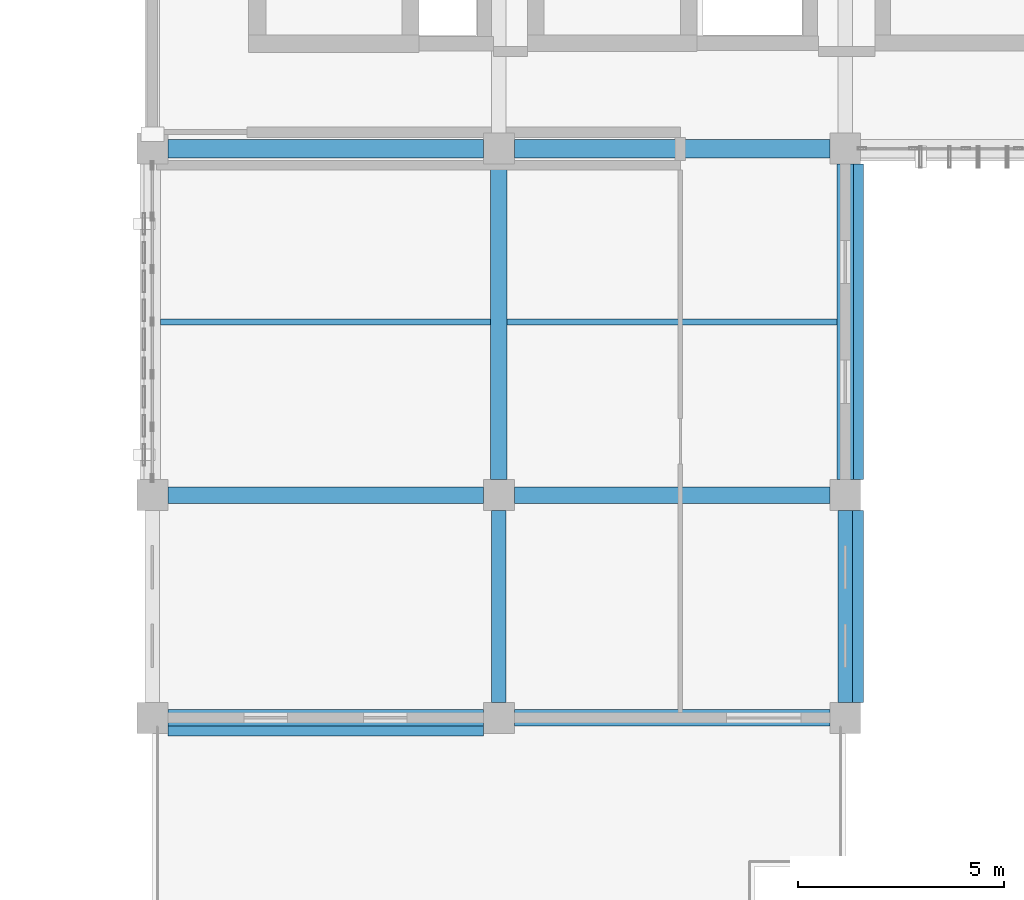
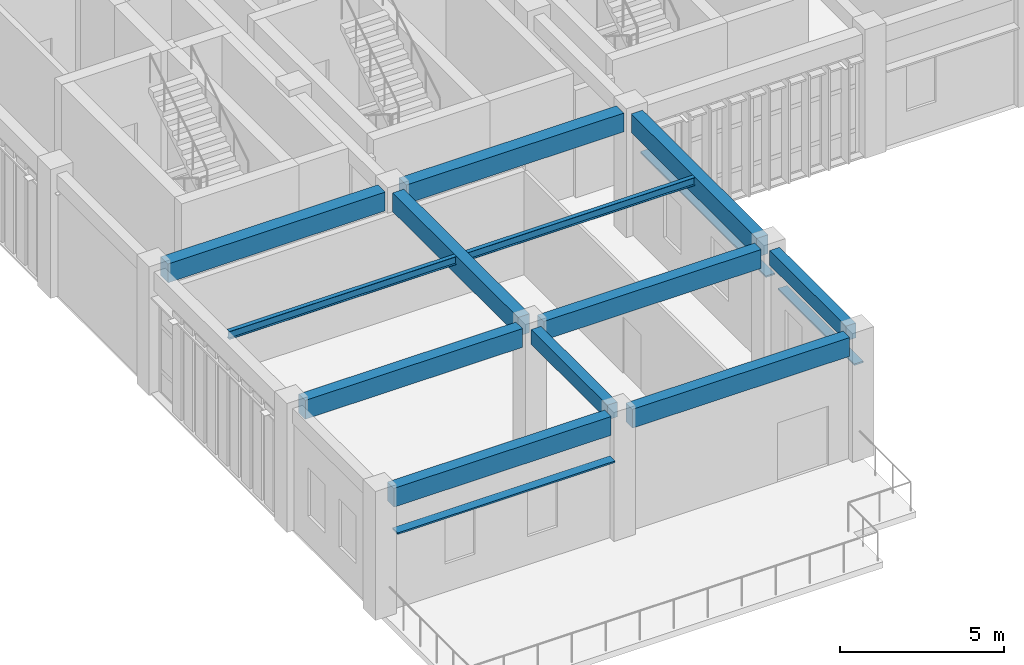
# One storey, part 45 of 76: 12 beams, 3 members.
"""IFC4 building model written with IfcOpenShell, lengths in metres."""

from ifc_helpers import new_model, si_unit, direction, frame, origin, origin_2d, place, context, subcontext, project, spatial, rectangle, hollow_rectangle, i_section, extrude, material, material_profile, profile_set, type_object, element, save


model = new_model("IFC4")

# Units and contexts
model_context = context("Model", 3, precision=1e-05, world=origin(), true_north=direction((0.0, 1.0)))
body_context = subcontext(model_context, "Body", "Model", "MODEL_VIEW")
ifc_project = project(units=[si_unit("LENGTHUNIT", "METRE"), si_unit("AREAUNIT", "SQUARE_METRE"), si_unit("VOLUMEUNIT", "CUBIC_METRE"), si_unit("PLANEANGLEUNIT", "RADIAN"), si_unit("MASSUNIT", "GRAM", prefix="KILO")], contexts=[model_context])

# Site, building, storey
site_placement = place(None, origin())
site = spatial("IfcSite", under=ifc_project, at=site_placement, CompositionType="ELEMENT")
building_placement = place(site_placement, origin())
building = spatial("IfcBuilding", under=site, at=building_placement, Name="Krzemoval Escarpment Law Courts", CompositionType="ELEMENT")
storey_placement = place(building_placement, frame((0.0, 0.0, 20.39990234375)))
storey = spatial("IfcBuildingStorey", under=building, at=storey_placement, Name="L04", CompositionType="ELEMENT", Elevation=20.39990234375)

# Beams
ifc_material_1 = material(Name="Concrete C40/50", Category="concrete")
ifc_material_profile_1 = material_profile(ifc_material_1, rectangle(XDim=0.35009765625, YDim=0.550048828125, at=origin_2d()), Name="RCB 350x550")
ifc_profile_set_1 = profile_set([ifc_material_profile_1], Name="Concrete C40/50")
beam_type_1 = type_object("IfcBeamType", Name="BM-RC-350x550", PredefinedType="BEAM", material=ifc_profile_set_1)
for number, where, z_axis, x_axis, name in (
    (1, (134.39990234375, 80.175048828125, 4.275146484375), (0.0, 1.0, 0.0), (-1.0, 0.0, 0.0), "Beam FG-L04-2512"),
    (2, (142.800048828125, 80.175048828125, 4.275146484375), (0.0, 1.0, 0.0), (-1.0, 0.0, 0.0), "Beam FG-L04-2518"),
):
    element("IfcBeam", number, at=place(storey_placement, frame(where, z_axis=z_axis, x_axis=x_axis)), inside=storey, type_object=beam_type_1, Name=name, PredefinedType="BEAM", context=body_context, shape_type="SweptSolid", body=[
        extrude(rectangle(XDim=0.35009765625, YDim=0.550048828125, at=origin_2d()), origin(), (0.0, 0.0, 1.0), 4.64990234375),
    ])
ifc_material_2 = material(Name="Concrete C40/50", Category="concrete")
ifc_material_profile_2 = material_profile(ifc_material_2, rectangle(XDim=0.39990234375, YDim=0.699951171875, at=origin_2d()), Name="RCB 400x700")
ifc_profile_set_2 = profile_set([ifc_material_profile_2], Name="Concrete C40/50")
beam_type_2 = type_object("IfcBeamType", Name="BM-RC-400x700", PredefinedType="BEAM", material=ifc_profile_set_2)
beam_1_placement = place(storey_placement, frame((126.375, 79.800048828125, 4.2001953125), z_axis=(1.0, 0.0, 0.0), x_axis=(0.0, 1.0, 0.0)))
element("IfcBeam", 3, at=beam_1_placement, inside=storey, type_object=beam_type_2, Name="Beam FG-L04-2449", PredefinedType="BEAM", context=body_context, shape_type="SweptSolid", body=[
    extrude(rectangle(XDim=0.39990234375, YDim=0.699951171875, at=origin_2d()), origin(), (0.0, 0.0, 1.0), 7.64990234375),
])
beam_2_placement = place(storey_placement, frame((134.77490234375, 79.800048828125, 4.2001953125), z_axis=(1.0, 0.0, 0.0), x_axis=(0.0, 1.0, 0.0)))
element("IfcBeam", 4, at=beam_2_placement, inside=storey, type_object=beam_type_2, Name="Beam FG-L04-2450", PredefinedType="BEAM", context=body_context, shape_type="SweptSolid", body=[
    extrude(rectangle(XDim=0.39990234375, YDim=0.699951171875, at=origin_2d()), origin(), (0.0, 0.0, 1.0), 7.650146484375),
])
beam_3_placement = place(storey_placement, frame((126.375, 85.199951171875, 4.2001953125), z_axis=(1.0, 0.0, 0.0), x_axis=(0.0, 1.0, 0.0)))
element("IfcBeam", 5, at=beam_3_placement, inside=storey, type_object=beam_type_2, Name="Beam FG-L04-2451", PredefinedType="BEAM", context=body_context, shape_type="SweptSolid", body=[
    extrude(rectangle(XDim=0.39990234375, YDim=0.699951171875, at=origin_2d()), origin(), (0.0, 0.0, 1.0), 7.64990234375),
])
for number, where, z_axis, x_axis, name in (
    (6, (134.77490234375, 85.199951171875, 4.2001953125), (1.0, 0.0, 0.0), (0.0, 1.0, 0.0), "Beam FG-L04-2452"),
    (7, (134.39990234375, 85.574951171875, 4.2001953125), (0.0, 1.0, 0.0), (-1.0, 0.0, 0.0), "Beam FG-L04-2513"),
    (8, (142.800048828125, 85.574951171875, 4.2001953125), (0.0, 1.0, 0.0), (-1.0, 0.0, 0.0), "Beam FG-L04-2519"),
):
    element("IfcBeam", number, at=place(storey_placement, frame(where, z_axis=z_axis, x_axis=x_axis)), inside=storey, type_object=beam_type_2, Name=name, PredefinedType="BEAM", context=body_context, shape_type="SweptSolid", body=[
        extrude(rectangle(XDim=0.39990234375, YDim=0.699951171875, at=origin_2d()), origin(), (0.0, 0.0, 1.0), 7.650146484375),
    ])
ifc_material_3 = material(Name="Concrete C40/50", Category="concrete")
ifc_material_profile_3 = material_profile(ifc_material_3, rectangle(XDim=0.449951171875, YDim=0.699951171875, at=origin_2d()), Name="RCB 450x700")
ifc_profile_set_3 = profile_set([ifc_material_profile_3], Name="Concrete C40/50")
beam_type_3 = type_object("IfcBeamType", Name="BM-RC-450x700", PredefinedType="BEAM", material=ifc_profile_set_3)
beam_4_placement = place(storey_placement, frame((126.375, 93.60009765625, 4.2001953125), z_axis=(1.0, 0.0, 0.0), x_axis=(0.0, 1.0, 0.0)))
element("IfcBeam", 9, at=beam_4_placement, inside=storey, type_object=beam_type_3, Name="Beam FG-L04-2453", PredefinedType="BEAM", context=body_context, shape_type="SweptSolid", body=[
    extrude(rectangle(XDim=0.449951171875, YDim=0.699951171875, at=origin_2d()), origin(), (0.0, 0.0, 1.0), 7.64990234375),
])
beam_5_placement = place(storey_placement, frame((134.77490234375, 93.60009765625, 4.2001953125), z_axis=(1.0, 0.0, 0.0), x_axis=(0.0, 1.0, 0.0)))
element("IfcBeam", 10, at=beam_5_placement, inside=storey, type_object=beam_type_3, Name="Beam FG-L04-2454", PredefinedType="BEAM", context=body_context, shape_type="SweptSolid", body=[
    extrude(rectangle(XDim=0.449951171875, YDim=0.699951171875, at=origin_2d()), origin(), (0.0, 0.0, 1.0), 7.650146484375),
])
ifc_material_4 = material(Name="Steel S355", Category="steel")
ifc_material_profile_4 = material_profile(ifc_material_4, i_section(OverallWidth=0.14990234375, OverallDepth=0.300048828125, WebThickness=0.007080078125, FlangeThickness=0.0107421875, at=origin_2d()), Name="IPE 300")
ifc_profile_set_4 = profile_set([ifc_material_profile_4], Name="Steel S355")
beam_type_4 = type_object("IfcBeamType", Name="JST-S355-IPE300", PredefinedType="JOIST", material=ifc_profile_set_4)
for number, where, z_axis, x_axis, name in (
    (11, (126.199951171875, 89.39990234375, 4.400146484375), (1.0, 0.0, 0.0), (0.0, 1.0, 0.0), "Secondary Joist FJ-L04-2564"),
    (12, (134.60009765625, 89.39990234375, 4.400146484375), (1.0, 0.0, 0.0), (0.0, 1.0, 0.0), "Secondary Joist FJ-L04-2565"),
):
    element("IfcBeam", number, at=place(storey_placement, frame(where, z_axis=z_axis, x_axis=x_axis)), inside=storey, type_object=beam_type_4, Name=name, PredefinedType="JOIST", context=body_context, shape_type="SweptSolid", body=[
        extrude(i_section(OverallWidth=0.14990234375, OverallDepth=0.300048828125, WebThickness=0.007080078125, FlangeThickness=0.0107421875, at=origin_2d()), origin(), (0.0, 0.0, 1.0), 8.0),
    ])

# Members
ifc_material_5 = material(Name="Anodised Aluminium Alloy 6063-T6", Category="aluminium")
ifc_material_profile_5 = material_profile(ifc_material_5, hollow_rectangle(XDim=0.06005859375, YDim=0.320068359375, WallThickness=0.00390625, at=origin_2d()), Name="ALU LVR 60x320")
ifc_profile_set_5 = profile_set([ifc_material_profile_5], Name="Anodised Aluminium Alloy 6063-T6")
member_type = type_object("IfcMemberType", Name="LVR-ALU-320", PredefinedType="USERDEFINED", material=ifc_profile_set_5)
member_1_placement = place(storey_placement, frame((143.080078125, 93.22509765625, 3.010009765625), z_axis=(0.0, -1.0, 0.0), x_axis=(0.0, 0.0, 1.0)))
element("IfcMember", 13, at=member_1_placement, inside=storey, type_object=member_type, Name="Window Sunshade Louvre FLV-L04-0892", ObjectType="SUNSHADE_LOUVRE", PredefinedType="USERDEFINED", context=body_context, shape_type="SweptSolid", body=[
    extrude(hollow_rectangle(XDim=0.06005859375, YDim=0.320068359375, WallThickness=0.00390625, at=origin_2d()), origin(), (0.0, 0.0, 1.0), 7.650146484375),
])
member_2_placement = place(storey_placement, frame((143.080078125, 84.824951171875, 3.010009765625), z_axis=(0.0, -1.0, 0.0), x_axis=(0.0, 0.0, 1.0)))
element("IfcMember", 14, at=member_2_placement, inside=storey, type_object=member_type, Name="Window Sunshade Louvre FLV-L04-0893", ObjectType="SUNSHADE_LOUVRE", PredefinedType="USERDEFINED", context=body_context, shape_type="SweptSolid", body=[
    extrude(hollow_rectangle(XDim=0.06005859375, YDim=0.320068359375, WallThickness=0.00390625, at=origin_2d()), origin(), (0.0, 0.0, 1.0), 4.64990234375),
])
member_3_placement = place(storey_placement, frame((134.02490234375, 79.52001953125, 3.010009765625), z_axis=(-1.0, 0.0, 0.0), x_axis=(0.0, 0.0, 1.0)))
element("IfcMember", 15, at=member_3_placement, inside=storey, type_object=member_type, Name="Window Sunshade Louvre FLV-L04-0894", ObjectType="SUNSHADE_LOUVRE", PredefinedType="USERDEFINED", context=body_context, shape_type="SweptSolid", body=[
    extrude(hollow_rectangle(XDim=0.06005859375, YDim=0.320068359375, WallThickness=0.00390625, at=origin_2d()), origin(), (0.0, 0.0, 1.0), 7.64990234375),
])

save(model, "model.ifc")
